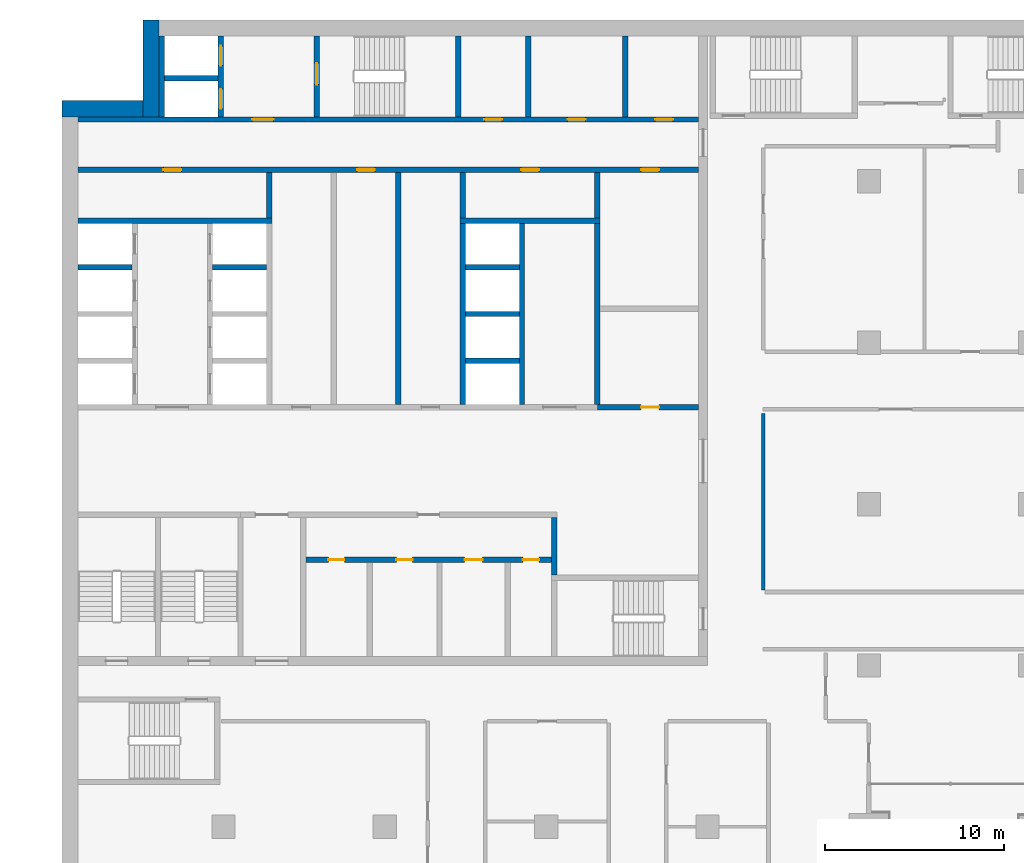
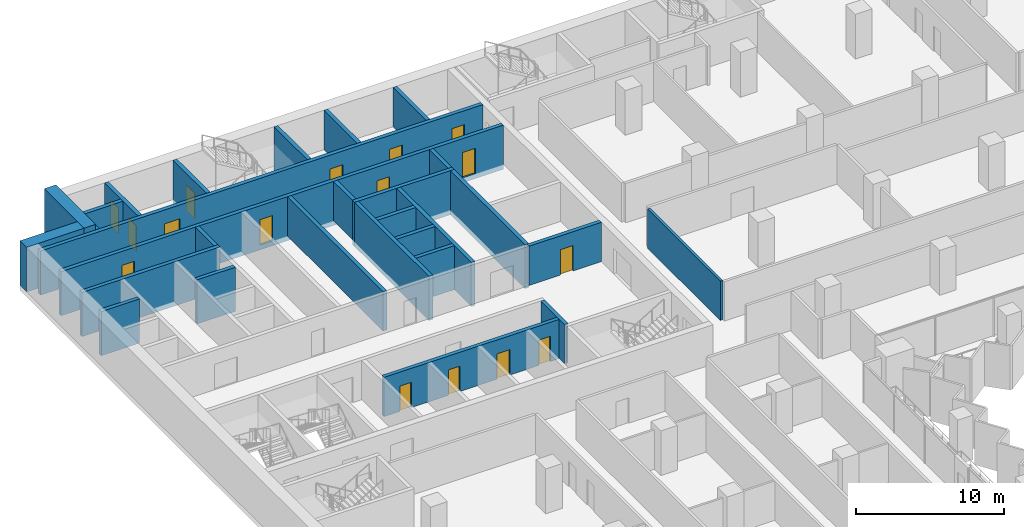
# One storey, part 13 of 23: 29 walls, 16 doors, 16 openings.
"""IFC4 building model written with IfcOpenShell, lengths in metres."""

from ifc_helpers import new_model, si_unit, direction, frame, frame_2d, origin, place, context, subcontext, project, spatial, rectangle, extrude, material, layer, layer_set, type_object, element, fill, save


model = new_model("IFC4")

# Units and contexts
model_context = context("Model", 3, precision=1e-05, world=origin(), true_north=direction((0.0, 1.0)))
body_context = subcontext(model_context, "Body", "Model", "MODEL_VIEW")
ifc_project = project(units=[si_unit("LENGTHUNIT", "METRE"), si_unit("AREAUNIT", "SQUARE_METRE"), si_unit("VOLUMEUNIT", "CUBIC_METRE"), si_unit("PLANEANGLEUNIT", "RADIAN"), si_unit("MASSUNIT", "GRAM", prefix="KILO")], contexts=[model_context])

# Site, building, storey
site_placement = place(None, origin())
site = spatial("IfcSite", under=ifc_project, at=site_placement, CompositionType="ELEMENT")
building_placement = place(site_placement, origin())
building = spatial("IfcBuilding", under=site, at=building_placement, Name="Hunhe Ridgeline Campus", CompositionType="ELEMENT")
storey_placement = place(building_placement, frame((0.0, 0.0, 125.5)))
storey = spatial("IfcBuildingStorey", under=building, at=storey_placement, Name="L31", CompositionType="ELEMENT", Elevation=125.5)

# Wall, openings, doors
ifc_material_1 = material(Name="Masonry concrete blockwork", Category="masonry")
ifc_layer_1 = layer(ifc_material_1, 0.300048828125)
ifc_layer_set_1 = layer_set([ifc_layer_1], Name="Core room partition 300 concrete block")
wall_type_1 = type_object("IfcWallType", Name="Core room partition 300 concrete block", PredefinedType="PARTITIONING", material=ifc_layer_set_1)
wall_1_placement = place(storey_placement, frame((13.60009765625, 68.89990234375, 0.0), z_axis=(0.0, 0.0, 1.0), x_axis=(1.0, 0.0, 0.0)))
wall_1 = element("IfcWall", 1, at=wall_1_placement, inside=storey, type_object=wall_type_1, Name="L31 core partition 9", PredefinedType="PARTITIONING", context=body_context, shape_type="SweptSolid", body=[
    extrude(rectangle(XDim=13.699951171875, YDim=0.300048828125, at=frame_2d((6.85009765625, 0.0))), origin(), (0.0, 0.0, 1.0), 3.25),
])
opening_1_placement = place(wall_1_placement, frame((1.25, 0.0, 0.0)))
opening_1 = element("IfcOpeningElement", 2, at=opening_1_placement, cuts=wall_1, Name="Opening CD8", PredefinedType="OPENING", context=body_context, shape_type="SweptSolid", body=[
    extrude(rectangle(XDim=0.89990234375, YDim=2.10009765625, at=frame_2d((0.449951171875, 1.050048828125))), frame((0.0, 0.14990234375, 0.0), z_axis=(0.0, -1.0, 0.0), x_axis=(1.0, 0.0, 0.0)), (0.0, 0.0, 1.0), 0.300048828125),
])
opening_2_placement = place(wall_1_placement, frame((5.050048828125, 0.0, 0.0)))
opening_2 = element("IfcOpeningElement", 3, at=opening_2_placement, cuts=wall_1, Name="Opening CD9", PredefinedType="OPENING", context=body_context, shape_type="SweptSolid", body=[
    extrude(rectangle(XDim=0.89990234375, YDim=2.10009765625, at=frame_2d((0.449951171875, 1.050048828125))), frame((0.0, 0.14990234375, 0.0), z_axis=(0.0, -1.0, 0.0), x_axis=(1.0, 0.0, 0.0)), (0.0, 0.0, 1.0), 0.300048828125),
])
opening_3_placement = place(wall_1_placement, frame((8.85009765625, 0.0, 0.0)))
opening_3 = element("IfcOpeningElement", 4, at=opening_3_placement, cuts=wall_1, Name="Opening CD10", PredefinedType="OPENING", context=body_context, shape_type="SweptSolid", body=[
    extrude(rectangle(XDim=1.0, YDim=2.10009765625, at=frame_2d((0.5, 1.050048828125))), frame((0.0, 0.14990234375, 0.0), z_axis=(0.0, -1.0, 0.0), x_axis=(1.0, 0.0, 0.0)), (0.0, 0.0, 1.0), 0.300048828125),
])
opening_4_placement = place(wall_1_placement, frame((12.10009765625, 0.0, 0.0)))
opening_4 = element("IfcOpeningElement", 5, at=opening_4_placement, cuts=wall_1, Name="Opening CD11", PredefinedType="OPENING", context=body_context, shape_type="SweptSolid", body=[
    extrude(rectangle(XDim=0.89990234375, YDim=2.10009765625, at=frame_2d((0.449951171875, 1.050048828125))), frame((0.0, 0.14990234375, 0.0), z_axis=(0.0, -1.0, 0.0), x_axis=(1.0, 0.0, 0.0)), (0.0, 0.0, 1.0), 0.300048828125),
])
ifc_material_2 = material(Name="Solid core timber door leaf", Category="wood")
door_type_1 = type_object("IfcDoorType", Name="Timber door 1000x2100", OperationType="SINGLE_SWING_LEFT", PredefinedType="DOOR", material=ifc_material_2)
door_1_placement = place(opening_3_placement, frame((1.0, 0.0, 0.0), z_axis=(0.0, 0.0, 1.0), x_axis=(-1.0, 0.0, 0.0)))
door_1 = element("IfcDoor", 6, at=door_1_placement, inside=storey, type_object=door_type_1, Name="L31 door WC3", OperationType="SINGLE_SWING_RIGHT", OverallHeight=2.10009765625, OverallWidth=1.0, PredefinedType="DOOR", context=body_context, shape_type="SweptSolid", body=[
    extrude(rectangle(XDim=1.0, YDim=2.10009765625, at=frame_2d((0.5, 1.050048828125))), frame((0.0, 0.02490234375, 0.0), z_axis=(0.0, -1.0, 0.0), x_axis=(1.0, 0.0, 0.0)), (0.0, 0.0, 1.0), 0.050048828125),
])
fill(opening_3, door_1)
door_type_2 = type_object("IfcDoorType", Name="Timber door 900x2100", OperationType="SINGLE_SWING_LEFT", PredefinedType="DOOR", material=ifc_material_2)
door_2_placement = place(opening_1_placement, frame((0.89990234375, 0.0, 0.0), z_axis=(0.0, 0.0, 1.0), x_axis=(-1.0, 0.0, 0.0)))
door_2 = element("IfcDoor", 7, at=door_2_placement, inside=storey, type_object=door_type_2, Name="L31 door WC1", OperationType="SINGLE_SWING_RIGHT", OverallHeight=2.10009765625, OverallWidth=0.89990234375, PredefinedType="DOOR", context=body_context, shape_type="SweptSolid", body=[
    extrude(rectangle(XDim=0.89990234375, YDim=2.10009765625, at=frame_2d((0.449951171875, 1.050048828125))), frame((0.0, 0.02490234375, 0.0), z_axis=(0.0, -1.0, 0.0), x_axis=(1.0, 0.0, 0.0)), (0.0, 0.0, 1.0), 0.050048828125),
])
fill(opening_1, door_2)
door_3_placement = place(opening_2_placement, frame((0.89990234375, 0.0, 0.0), z_axis=(0.0, 0.0, 1.0), x_axis=(-1.0, 0.0, 0.0)))
door_3 = element("IfcDoor", 8, at=door_3_placement, inside=storey, type_object=door_type_2, Name="L31 door WC2", OperationType="SINGLE_SWING_LEFT", OverallHeight=2.10009765625, OverallWidth=0.89990234375, PredefinedType="DOOR", context=body_context, shape_type="SweptSolid", body=[
    extrude(rectangle(XDim=0.89990234375, YDim=2.10009765625, at=frame_2d((0.449951171875, 1.050048828125))), frame((0.0, 0.02490234375, 0.0), z_axis=(0.0, -1.0, 0.0), x_axis=(1.0, 0.0, 0.0)), (0.0, 0.0, 1.0), 0.050048828125),
])
fill(opening_2, door_3)
door_4_placement = place(opening_4_placement, frame((0.89990234375, 0.0, 0.0), z_axis=(0.0, 0.0, 1.0), x_axis=(-1.0, 0.0, 0.0)))
door_4 = element("IfcDoor", 9, at=door_4_placement, inside=storey, type_object=door_type_2, Name="L31 door WC4", OperationType="SINGLE_SWING_LEFT", OverallHeight=2.10009765625, OverallWidth=0.89990234375, PredefinedType="DOOR", context=body_context, shape_type="SweptSolid", body=[
    extrude(rectangle(XDim=0.89990234375, YDim=2.10009765625, at=frame_2d((0.449951171875, 1.050048828125))), frame((0.0, 0.02490234375, 0.0), z_axis=(0.0, -1.0, 0.0), x_axis=(1.0, 0.0, 0.0)), (0.0, 0.0, 1.0), 0.050048828125),
])
fill(opening_4, door_4)

# Wall, opening, door
wall_2_placement = place(storey_placement, frame((29.85009765625, 77.39990234375, 0.0), z_axis=(0.0, 0.0, 1.0), x_axis=(1.0, 0.0, 0.0)))
wall_2 = element("IfcWall", 10, at=wall_2_placement, inside=storey, type_object=wall_type_1, Name="L31 core partition 13", PredefinedType="PARTITIONING", context=body_context, shape_type="SweptSolid", body=[
    extrude(rectangle(XDim=5.64990234375, YDim=0.300048828125, at=frame_2d((2.824951171875, 0.0))), origin(), (0.0, 0.0, 1.0), 3.25),
])
opening_5_placement = place(wall_2_placement, frame((2.449951171875, 0.0, 0.0)))
opening_5 = element("IfcOpeningElement", 11, at=opening_5_placement, cuts=wall_2, Name="Opening CD32", PredefinedType="OPENING", context=body_context, shape_type="SweptSolid", body=[
    extrude(rectangle(XDim=1.0, YDim=2.10009765625, at=frame_2d((0.5, 1.050048828125))), frame((0.0, 0.14990234375, 0.0), z_axis=(0.0, -1.0, 0.0), x_axis=(1.0, 0.0, 0.0)), (0.0, 0.0, 1.0), 0.300048828125),
])
door_5_placement = place(opening_5_placement, origin())
door_5 = element("IfcDoor", 12, at=door_5_placement, inside=storey, type_object=door_type_1, Name="L31 door ES0", OperationType="SINGLE_SWING_LEFT", OverallHeight=2.10009765625, OverallWidth=1.0, PredefinedType="DOOR", context=body_context, shape_type="SweptSolid", body=[
    extrude(rectangle(XDim=1.0, YDim=2.10009765625, at=frame_2d((0.5, 1.050048828125))), frame((0.0, 0.02490234375, 0.0), z_axis=(0.0, -1.0, 0.0), x_axis=(1.0, 0.0, 0.0)), (0.0, 0.0, 1.0), 0.050048828125),
])
fill(opening_5, door_5)

# Walls
wall_3_placement = place(storey_placement, frame((11.550048828125, 87.949951171875, 0.0), z_axis=(0.0, 0.0, 1.0), x_axis=(0.0, 1.0, 0.0)))
element("IfcWall", 13, at=wall_3_placement, inside=storey, type_object=wall_type_1, Name="L31 core partition 41", PredefinedType="PARTITIONING", context=body_context, shape_type="SweptSolid", body=[
    extrude(rectangle(XDim=2.550048828125, YDim=0.300048828125, at=frame_2d((1.27490234375, 0.0))), origin(), (0.0, 0.0, 1.0), 3.25),
])
wall_4_placement = place(storey_placement, frame((18.75, 77.550048828125, 0.0), z_axis=(0.0, 0.0, 1.0), x_axis=(0.0, 1.0, 0.0)))
element("IfcWall", 14, at=wall_4_placement, inside=storey, type_object=wall_type_1, Name="L31 core partition 46", PredefinedType="PARTITIONING", context=body_context, shape_type="SweptSolid", body=[
    extrude(rectangle(XDim=12.949951171875, YDim=0.300048828125, at=frame_2d((6.47509765625, 0.0))), origin(), (0.0, 0.0, 1.0), 3.25),
])
wall_5_placement = place(storey_placement, frame((22.35009765625, 87.949951171875, 0.0), z_axis=(0.0, 0.0, 1.0), x_axis=(0.0, 1.0, 0.0)))
element("IfcWall", 15, at=wall_5_placement, inside=storey, type_object=wall_type_1, Name="L31 core partition 51", PredefinedType="PARTITIONING", context=body_context, shape_type="SweptSolid", body=[
    extrude(rectangle(XDim=2.550048828125, YDim=0.300048828125, at=frame_2d((1.27490234375, 0.0))), origin(), (0.0, 0.0, 1.0), 3.25),
])
wall_6_placement = place(storey_placement, frame((26.0, 93.60009765625, 0.0), z_axis=(0.0, 0.0, 1.0), x_axis=(0.0, 1.0, 0.0)))
element("IfcWall", 16, at=wall_6_placement, inside=storey, type_object=wall_type_1, Name="L31 core partition 55", PredefinedType="PARTITIONING", context=body_context, shape_type="SweptSolid", body=[
    extrude(rectangle(XDim=4.5, YDim=0.300048828125, at=frame_2d((2.25, 0.0))), origin(), (0.0, 0.0, 1.0), 3.25),
])
wall_7_placement = place(storey_placement, frame((27.449951171875, 68.050048828125, 0.0), z_axis=(0.0, 0.0, 1.0), x_axis=(0.0, 1.0, 0.0)))
element("IfcWall", 17, at=wall_7_placement, inside=storey, type_object=wall_type_1, Name="L31 core partition 57", PredefinedType="PARTITIONING", context=body_context, shape_type="SweptSolid", body=[
    extrude(rectangle(XDim=3.199951171875, YDim=0.300048828125, at=frame_2d((1.60009765625, 0.0))), origin(), (0.0, 0.0, 1.0), 3.25),
])
wall_8_placement = place(storey_placement, frame((29.85009765625, 87.949951171875, 0.0), z_axis=(0.0, 0.0, 1.0), x_axis=(0.0, 1.0, 0.0)))
element("IfcWall", 18, at=wall_8_placement, inside=storey, type_object=wall_type_1, Name="L31 core partition 59", PredefinedType="PARTITIONING", context=body_context, shape_type="SweptSolid", body=[
    extrude(rectangle(XDim=2.550048828125, YDim=0.300048828125, at=frame_2d((1.27490234375, 0.0))), origin(), (0.0, 0.0, 1.0), 3.25),
])
wall_9_placement = place(storey_placement, frame((31.39990234375, 93.60009765625, 0.0), z_axis=(0.0, 0.0, 1.0), x_axis=(0.0, 1.0, 0.0)))
element("IfcWall", 19, at=wall_9_placement, inside=storey, type_object=wall_type_1, Name="L31 core partition 60", PredefinedType="PARTITIONING", context=body_context, shape_type="SweptSolid", body=[
    extrude(rectangle(XDim=4.5, YDim=0.300048828125, at=frame_2d((2.25, 0.0))), origin(), (0.0, 0.0, 1.0), 3.25),
])
ifc_material_3 = material(Name="Gypsum board partition")
ifc_layer_2 = layer(ifc_material_3, 0.199951171875)
ifc_layer_set_2 = layer_set([ifc_layer_2], Name="Corridor partition 200 gypsum board on steel studs")
wall_type_2 = type_object("IfcWallType", Name="Corridor partition 200 gypsum board on steel studs", PredefinedType="PARTITIONING", material=ifc_layer_set_2)
wall_10_placement = place(storey_placement, frame((39.10009765625, 77.063232421875, 0.0), z_axis=(0.0, 0.0, 1.0), x_axis=(0.0, -1.0, 0.0)))
element("IfcWall", 20, at=wall_10_placement, inside=storey, type_object=wall_type_2, Name="F-L31-wall-064", PredefinedType="PARTITIONING", context=body_context, shape_type="SweptSolid", body=[
    extrude(rectangle(XDim=9.86328125, YDim=0.199951171875, at=frame_2d((4.931640625, 0.0))), origin(), (0.0, 0.0, 1.0), 3.25),
])

# Wall, openings, doors
ifc_material_4 = material(Name="Concrete C80", Category="concrete")
ifc_layer_3 = layer(ifc_material_4, 0.300048828125)
ifc_layer_set_3 = layer_set([ifc_layer_3], Name="Lobby wall 300 reinforced concrete C80")
wall_type_3 = type_object("IfcWallType", Name="Lobby wall 300 reinforced concrete C80", PredefinedType="SOLIDWALL", material=ifc_layer_set_3)
wall_11_placement = place(storey_placement, frame((0.89990234375, 90.64990234375, -0.39990234375), z_axis=(0.0, 0.0, 1.0), x_axis=(1.0, 0.0, 0.0)))
wall_11 = element("IfcWall", 21, at=wall_11_placement, inside=storey, type_object=wall_type_3, Name="L31 core wall 26", PredefinedType="SOLIDWALL", context=body_context, shape_type="SweptSolid", body=[
    extrude(rectangle(XDim=34.60009765625, YDim=0.300048828125, at=frame_2d((17.300048828125, 0.0))), origin(), (0.0, 0.0, 1.0), 3.64990234375),
])
opening_6_placement = place(wall_11_placement, frame((4.75, 0.0, 0.39990234375)))
opening_6 = element("IfcOpeningElement", 22, at=opening_6_placement, cuts=wall_11, Name="Opening CD26", PredefinedType="OPENING", context=body_context, shape_type="SweptSolid", body=[
    extrude(rectangle(XDim=1.0, YDim=2.10009765625, at=frame_2d((0.5, 1.050048828125))), frame((0.0, 0.14990234375, 0.0), z_axis=(0.0, -1.0, 0.0), x_axis=(1.0, 0.0, 0.0)), (0.0, 0.0, 1.0), 0.300048828125),
])
opening_7_placement = place(wall_11_placement, frame((24.699951171875, 0.0, 0.39990234375)))
opening_7 = element("IfcOpeningElement", 23, at=opening_7_placement, cuts=wall_11, Name="Opening CD27", PredefinedType="OPENING", context=body_context, shape_type="SweptSolid", body=[
    extrude(rectangle(XDim=1.0, YDim=2.10009765625, at=frame_2d((0.5, 1.050048828125))), frame((0.0, 0.14990234375, 0.0), z_axis=(0.0, -1.0, 0.0), x_axis=(1.0, 0.0, 0.0)), (0.0, 0.0, 1.0), 0.300048828125),
])
opening_8_placement = place(wall_11_placement, frame((15.550048828125, 0.0, 0.39990234375)))
opening_8 = element("IfcOpeningElement", 24, at=opening_8_placement, cuts=wall_11, Name="Opening CD29", PredefinedType="OPENING", context=body_context, shape_type="SweptSolid", body=[
    extrude(rectangle(XDim=1.0, YDim=2.10009765625, at=frame_2d((0.5, 1.050048828125))), frame((0.0, 0.14990234375, 0.0), z_axis=(0.0, -1.0, 0.0), x_axis=(1.0, 0.0, 0.0)), (0.0, 0.0, 1.0), 0.300048828125),
])
opening_9_placement = place(wall_11_placement, frame((31.39990234375, 0.0, 0.39990234375)))
opening_9 = element("IfcOpeningElement", 25, at=opening_9_placement, cuts=wall_11, Name="Opening CD33", PredefinedType="OPENING", context=body_context, shape_type="SweptSolid", body=[
    extrude(rectangle(XDim=1.0, YDim=2.10009765625, at=frame_2d((0.5, 1.050048828125))), frame((0.0, 0.14990234375, 0.0), z_axis=(0.0, -1.0, 0.0), x_axis=(1.0, 0.0, 0.0)), (0.0, 0.0, 1.0), 0.300048828125),
])
door_6_placement = place(opening_6_placement, frame((1.0, 0.0, 0.0), z_axis=(0.0, 0.0, 1.0), x_axis=(-1.0, 0.0, 0.0)))
door_6 = element("IfcDoor", 26, at=door_6_placement, inside=storey, type_object=door_type_1, Name="L31 door NR-0", OperationType="SINGLE_SWING_RIGHT", OverallHeight=2.10009765625, OverallWidth=1.0, PredefinedType="DOOR", context=body_context, shape_type="SweptSolid", body=[
    extrude(rectangle(XDim=1.0, YDim=2.10009765625, at=frame_2d((0.5, 1.050048828125))), frame((0.0, 0.02490234375, 0.0), z_axis=(0.0, -1.0, 0.0), x_axis=(1.0, 0.0, 0.0)), (0.0, 0.0, 1.0), 0.050048828125),
])
fill(opening_6, door_6)
door_7_placement = place(opening_7_placement, frame((1.0, 0.0, 0.0), z_axis=(0.0, 0.0, 1.0), x_axis=(-1.0, 0.0, 0.0)))
door_7 = element("IfcDoor", 27, at=door_7_placement, inside=storey, type_object=door_type_1, Name="L31 door NR-1", OperationType="SINGLE_SWING_LEFT", OverallHeight=2.10009765625, OverallWidth=1.0, PredefinedType="DOOR", context=body_context, shape_type="SweptSolid", body=[
    extrude(rectangle(XDim=1.0, YDim=2.10009765625, at=frame_2d((0.5, 1.050048828125))), frame((0.0, 0.02490234375, 0.0), z_axis=(0.0, -1.0, 0.0), x_axis=(1.0, 0.0, 0.0)), (0.0, 0.0, 1.0), 0.050048828125),
])
fill(opening_7, door_7)
door_8_placement = place(opening_8_placement, frame((1.0, 0.0, 0.0), z_axis=(0.0, 0.0, 1.0), x_axis=(-1.0, 0.0, 0.0)))
door_8 = element("IfcDoor", 28, at=door_8_placement, inside=storey, type_object=door_type_1, Name="L31 door VD-HR1", OperationType="SINGLE_SWING_LEFT", OverallHeight=2.10009765625, OverallWidth=1.0, PredefinedType="DOOR", context=body_context, shape_type="SweptSolid", body=[
    extrude(rectangle(XDim=1.0, YDim=2.10009765625, at=frame_2d((0.5, 1.050048828125))), frame((0.0, 0.02490234375, 0.0), z_axis=(0.0, -1.0, 0.0), x_axis=(1.0, 0.0, 0.0)), (0.0, 0.0, 1.0), 0.050048828125),
])
fill(opening_8, door_8)
door_9_placement = place(opening_9_placement, frame((1.0, 0.0, 0.0), z_axis=(0.0, 0.0, 1.0), x_axis=(-1.0, 0.0, 0.0)))
door_9 = element("IfcDoor", 29, at=door_9_placement, inside=storey, type_object=door_type_1, Name="L31 door ES1", OperationType="SINGLE_SWING_LEFT", OverallHeight=2.10009765625, OverallWidth=1.0, PredefinedType="DOOR", context=body_context, shape_type="SweptSolid", body=[
    extrude(rectangle(XDim=1.0, YDim=2.10009765625, at=frame_2d((0.5, 1.050048828125))), frame((0.0, 0.02490234375, 0.0), z_axis=(0.0, -1.0, 0.0), x_axis=(1.0, 0.0, 0.0)), (0.0, 0.0, 1.0), 0.050048828125),
])
fill(opening_9, door_9)

# Walls
wall_12_placement = place(storey_placement, frame((29.85009765625, 77.550048828125, -0.39990234375), z_axis=(0.0, 0.0, 1.0), x_axis=(0.0, 1.0, 0.0)))
element("IfcWall", 30, at=wall_12_placement, inside=storey, type_object=wall_type_3, Name="L31 core wall 58", PredefinedType="SOLIDWALL", context=body_context, shape_type="SweptSolid", body=[
    extrude(rectangle(XDim=10.099853515625, YDim=0.300048828125, at=frame_2d((5.0498046875, 0.0))), origin(), (0.0, 0.0, 1.0), 3.64990234375),
])
ifc_layer_4 = layer(ifc_material_4, 0.300048828125)
ifc_layer_set_4 = layer_set([ifc_layer_4], Name="Shaft wall 300 reinforced concrete C80")
wall_type_4 = type_object("IfcWallType", Name="Shaft wall 300 reinforced concrete C80", PredefinedType="SOLIDWALL", material=ifc_layer_set_4)
for number, where, z_axis, x_axis, name in (
    (31, (22.5, 80.0, -0.39990234375), (0.0, 0.0, 1.0), (1.0, 0.0, 0.0), "L31 core wall 16"),
    (32, (22.5, 82.60009765625, -0.39990234375), (0.0, 0.0, 1.0), (1.0, 0.0, 0.0), "L31 core wall 19"),
    (33, (0.89990234375, 85.199951171875, -0.39990234375), (0.0, 0.0, 1.0), (1.0, 0.0, 0.0), "L31 core wall 21"),
    (34, (8.39990234375, 85.199951171875, -0.39990234375), (0.0, 0.0, 1.0), (1.0, 0.0, 0.0), "L31 core wall 22"),
    (35, (22.5, 85.199951171875, -0.39990234375), (0.0, 0.0, 1.0), (1.0, 0.0, 0.0), "L31 core wall 23"),
):
    element("IfcWall", number, at=place(storey_placement, frame(where, z_axis=z_axis, x_axis=x_axis)), inside=storey, type_object=wall_type_4, Name=name, PredefinedType="SOLIDWALL", context=body_context, shape_type="SweptSolid", body=[
        extrude(rectangle(XDim=3.0, YDim=0.300048828125, at=frame_2d((1.5, 0.0))), origin(), (0.0, 0.0, 1.0), 3.64990234375),
    ])
wall_13_placement = place(storey_placement, frame((0.89990234375, 87.800048828125, -0.39990234375), z_axis=(0.0, 0.0, 1.0), x_axis=(1.0, 0.0, 0.0)))
element("IfcWall", 36, at=wall_13_placement, inside=storey, type_object=wall_type_4, Name="L31 core wall 24", PredefinedType="SOLIDWALL", context=body_context, shape_type="SweptSolid", body=[
    extrude(rectangle(XDim=10.800048828125, YDim=0.300048828125, at=frame_2d((5.39990234375, 0.0))), origin(), (0.0, 0.0, 1.0), 3.64990234375),
])
wall_14_placement = place(storey_placement, frame((22.199951171875, 87.800048828125, -0.39990234375), z_axis=(0.0, 0.0, 1.0), x_axis=(1.0, 0.0, 0.0)))
element("IfcWall", 37, at=wall_14_placement, inside=storey, type_object=wall_type_4, Name="L31 core wall 25", PredefinedType="SOLIDWALL", context=body_context, shape_type="SweptSolid", body=[
    extrude(rectangle(XDim=7.800048828125, YDim=0.300048828125, at=frame_2d((3.89990234375, 0.0))), origin(), (0.0, 0.0, 1.0), 3.64990234375),
])

# Wall, openings, doors
wall_15_placement = place(storey_placement, frame((0.89990234375, 93.449951171875, -0.39990234375), z_axis=(0.0, 0.0, 1.0), x_axis=(1.0, 0.0, 0.0)))
wall_15 = element("IfcWall", 38, at=wall_15_placement, inside=storey, type_object=wall_type_4, Name="L31 core wall 27", PredefinedType="SOLIDWALL", context=body_context, shape_type="SweptSolid", body=[
    extrude(rectangle(XDim=34.60009765625, YDim=0.300048828125, at=frame_2d((17.300048828125, 0.0))), origin(), (0.0, 0.0, 1.0), 3.64990234375),
])
opening_10_placement = place(wall_15_placement, frame((9.699951171875, 0.0, 0.39990234375)))
opening_10 = element("IfcOpeningElement", 39, at=opening_10_placement, cuts=wall_15, Name="Opening CD3", PredefinedType="OPENING", context=body_context, shape_type="SweptSolid", body=[
    extrude(rectangle(XDim=1.199951171875, YDim=2.10009765625, at=frame_2d((0.60009765625, 1.050048828125))), frame((0.0, 0.14990234375, 0.0), z_axis=(0.0, -1.0, 0.0), x_axis=(1.0, 0.0, 0.0)), (0.0, 0.0, 1.0), 0.300048828125),
])
opening_11_placement = place(wall_15_placement, frame((22.64990234375, 0.0, 0.39990234375)))
opening_11 = element("IfcOpeningElement", 40, at=opening_11_placement, cuts=wall_15, Name="Opening CD34", PredefinedType="OPENING", context=body_context, shape_type="SweptSolid", body=[
    extrude(rectangle(XDim=1.0, YDim=2.10009765625, at=frame_2d((0.5, 1.050048828125))), frame((0.0, 0.14990234375, 0.0), z_axis=(0.0, -1.0, 0.0), x_axis=(1.0, 0.0, 0.0)), (0.0, 0.0, 1.0), 0.300048828125),
])
opening_12_placement = place(wall_15_placement, frame((27.300048828125, 0.0, 0.39990234375)))
opening_12 = element("IfcOpeningElement", 41, at=opening_12_placement, cuts=wall_15, Name="Opening CD35", PredefinedType="OPENING", context=body_context, shape_type="SweptSolid", body=[
    extrude(rectangle(XDim=1.0, YDim=2.10009765625, at=frame_2d((0.5, 1.050048828125))), frame((0.0, 0.14990234375, 0.0), z_axis=(0.0, -1.0, 0.0), x_axis=(1.0, 0.0, 0.0)), (0.0, 0.0, 1.0), 0.300048828125),
])
opening_13_placement = place(wall_15_placement, frame((32.175048828125, 0.0, 0.39990234375)))
opening_13 = element("IfcOpeningElement", 42, at=opening_13_placement, cuts=wall_15, Name="Opening CD36", PredefinedType="OPENING", context=body_context, shape_type="SweptSolid", body=[
    extrude(rectangle(XDim=1.0, YDim=2.10009765625, at=frame_2d((0.5, 1.050048828125))), frame((0.0, 0.14990234375, 0.0), z_axis=(0.0, -1.0, 0.0), x_axis=(1.0, 0.0, 0.0)), (0.0, 0.0, 1.0), 0.300048828125),
])
ifc_material_5 = material(Name="Hollow metal fire door leaf")
door_type_3 = type_object("IfcDoorType", Name="Lobby door 1200x2100 FD60", OperationType="SINGLE_SWING_LEFT", PredefinedType="DOOR", material=ifc_material_5)
door_10_placement = place(opening_10_placement, frame((1.199951171875, 0.0, 0.0), z_axis=(0.0, 0.0, 1.0), x_axis=(-1.0, 0.0, 0.0)))
door_10 = element("IfcDoor", 43, at=door_10_placement, inside=storey, type_object=door_type_3, Name="L31 door FF-C1", OperationType="SINGLE_SWING_LEFT", OverallHeight=2.10009765625, OverallWidth=1.199951171875, PredefinedType="DOOR", context=body_context, shape_type="SweptSolid", body=[
    extrude(rectangle(XDim=1.199951171875, YDim=2.10009765625, at=frame_2d((0.60009765625, 1.050048828125))), frame((0.0, 0.02490234375, 0.0), z_axis=(0.0, -1.0, 0.0), x_axis=(1.0, 0.0, 0.0)), (0.0, 0.0, 1.0), 0.050048828125),
])
fill(opening_10, door_10)
door_11_placement = place(opening_11_placement, origin())
door_11 = element("IfcDoor", 44, at=door_11_placement, inside=storey, type_object=door_type_1, Name="L31 door NB0", OperationType="SINGLE_SWING_LEFT", OverallHeight=2.10009765625, OverallWidth=1.0, PredefinedType="DOOR", context=body_context, shape_type="SweptSolid", body=[
    extrude(rectangle(XDim=1.0, YDim=2.10009765625, at=frame_2d((0.5, 1.050048828125))), frame((0.0, 0.02490234375, 0.0), z_axis=(0.0, -1.0, 0.0), x_axis=(1.0, 0.0, 0.0)), (0.0, 0.0, 1.0), 0.050048828125),
])
fill(opening_11, door_11)
door_12_placement = place(opening_12_placement, origin())
door_12 = element("IfcDoor", 45, at=door_12_placement, inside=storey, type_object=door_type_1, Name="L31 door NB1", OperationType="SINGLE_SWING_RIGHT", OverallHeight=2.10009765625, OverallWidth=1.0, PredefinedType="DOOR", context=body_context, shape_type="SweptSolid", body=[
    extrude(rectangle(XDim=1.0, YDim=2.10009765625, at=frame_2d((0.5, 1.050048828125))), frame((0.0, 0.02490234375, 0.0), z_axis=(0.0, -1.0, 0.0), x_axis=(1.0, 0.0, 0.0)), (0.0, 0.0, 1.0), 0.050048828125),
])
fill(opening_12, door_12)
door_13_placement = place(opening_13_placement, origin())
door_13 = element("IfcDoor", 46, at=door_13_placement, inside=storey, type_object=door_type_1, Name="L31 door NB2", OperationType="SINGLE_SWING_LEFT", OverallHeight=2.10009765625, OverallWidth=1.0, PredefinedType="DOOR", context=body_context, shape_type="SweptSolid", body=[
    extrude(rectangle(XDim=1.0, YDim=2.10009765625, at=frame_2d((0.5, 1.050048828125))), frame((0.0, 0.02490234375, 0.0), z_axis=(0.0, -1.0, 0.0), x_axis=(1.0, 0.0, 0.0)), (0.0, 0.0, 1.0), 0.050048828125),
])
fill(opening_13, door_13)

# Walls
wall_16_placement = place(storey_placement, frame((5.699951171875, 95.75, -0.39990234375), z_axis=(0.0, 0.0, 1.0), x_axis=(1.0, 0.0, 0.0)))
element("IfcWall", 47, at=wall_16_placement, inside=storey, type_object=wall_type_4, Name="L31 core wall 31", PredefinedType="SOLIDWALL", context=body_context, shape_type="SweptSolid", body=[
    extrude(rectangle(XDim=3.0, YDim=0.300048828125, at=frame_2d((1.5, 0.0))), origin(), (0.0, 0.0, 1.0), 3.64990234375),
])
wall_17_placement = place(storey_placement, frame((5.550048828125, 93.60009765625, -0.39990234375), z_axis=(0.0, 0.0, 1.0), x_axis=(0.0, 1.0, 0.0)))
element("IfcWall", 48, at=wall_17_placement, inside=storey, type_object=wall_type_4, Name="L31 core wall 34", PredefinedType="SOLIDWALL", context=body_context, shape_type="SweptSolid", body=[
    extrude(rectangle(XDim=4.5, YDim=0.300048828125, at=frame_2d((2.25, 0.0))), origin(), (0.0, 0.0, 1.0), 3.64990234375),
])

# Wall, openings, doors
wall_18_placement = place(storey_placement, frame((8.85009765625, 93.60009765625, -0.39990234375), z_axis=(0.0, 0.0, 1.0), x_axis=(0.0, 1.0, 0.0)))
wall_18 = element("IfcWall", 49, at=wall_18_placement, inside=storey, type_object=wall_type_4, Name="L31 core wall 38", PredefinedType="SOLIDWALL", context=body_context, shape_type="SweptSolid", body=[
    extrude(rectangle(XDim=4.5, YDim=0.300048828125, at=frame_2d((2.25, 0.0))), origin(), (0.0, 0.0, 1.0), 3.64990234375),
])
opening_14_placement = place(wall_18_placement, frame((0.449951171875, 0.0, 0.39990234375)))
opening_14 = element("IfcOpeningElement", 50, at=opening_14_placement, cuts=wall_18, Name="Opening LD-FF1", PredefinedType="OPENING", context=body_context, shape_type="SweptSolid", body=[
    extrude(rectangle(XDim=1.10009765625, YDim=2.10009765625, at=frame_2d((0.550048828125, 1.050048828125))), frame((0.0, 0.14990234375, 0.0), z_axis=(0.0, -1.0, 0.0), x_axis=(1.0, 0.0, 0.0)), (0.0, 0.0, 1.0), 0.300048828125),
])
opening_15_placement = place(wall_18_placement, frame((2.85009765625, 0.0, 0.39990234375)))
opening_15 = element("IfcOpeningElement", 51, at=opening_15_placement, cuts=wall_18, Name="Opening LD-FF2", PredefinedType="OPENING", context=body_context, shape_type="SweptSolid", body=[
    extrude(rectangle(XDim=1.10009765625, YDim=2.10009765625, at=frame_2d((0.550048828125, 1.050048828125))), frame((0.0, 0.14990234375, 0.0), z_axis=(0.0, -1.0, 0.0), x_axis=(1.0, 0.0, 0.0)), (0.0, 0.0, 1.0), 0.300048828125),
])
ifc_material_6 = material(Name="Stainless steel sliding leaves", Category="steel")
door_type_4 = type_object("IfcDoorType", Name="Landing door 1100x2100 FD120", OperationType="SLIDING_TO_LEFT", PredefinedType="DOOR", material=ifc_material_6)
door_14_placement = place(opening_14_placement, origin())
door_14 = element("IfcDoor", 52, at=door_14_placement, inside=storey, type_object=door_type_4, Name="L31 landing door FF1", OperationType="SLIDING_TO_RIGHT", OverallHeight=2.10009765625, OverallWidth=1.10009765625, PredefinedType="DOOR", context=body_context, shape_type="SweptSolid", body=[
    extrude(rectangle(XDim=1.10009765625, YDim=2.10009765625, at=frame_2d((0.550048828125, 1.050048828125))), frame((0.0, 0.02490234375, 0.0), z_axis=(0.0, -1.0, 0.0), x_axis=(1.0, 0.0, 0.0)), (0.0, 0.0, 1.0), 0.050048828125),
])
fill(opening_14, door_14)
door_15_placement = place(opening_15_placement, origin())
door_15 = element("IfcDoor", 53, at=door_15_placement, inside=storey, type_object=door_type_4, Name="L31 landing door FF2", OperationType="SLIDING_TO_LEFT", OverallHeight=2.10009765625, OverallWidth=1.10009765625, PredefinedType="DOOR", context=body_context, shape_type="SweptSolid", body=[
    extrude(rectangle(XDim=1.10009765625, YDim=2.10009765625, at=frame_2d((0.550048828125, 1.050048828125))), frame((0.0, 0.02490234375, 0.0), z_axis=(0.0, -1.0, 0.0), x_axis=(1.0, 0.0, 0.0)), (0.0, 0.0, 1.0), 0.050048828125),
])
fill(opening_15, door_15)

# Walls
for number, where, z_axis, x_axis, name in (
    (54, (22.35009765625, 77.550048828125, -0.39990234375), (0.0, 0.0, 1.0), (0.0, 1.0, 0.0), "L31 core wall 50"),
    (55, (25.64990234375, 77.550048828125, -0.39990234375), (0.0, 0.0, 1.0), (0.0, 1.0, 0.0), "L31 core wall 54"),
):
    element("IfcWall", number, at=place(storey_placement, frame(where, z_axis=z_axis, x_axis=x_axis)), inside=storey, type_object=wall_type_4, Name=name, PredefinedType="SOLIDWALL", context=body_context, shape_type="SweptSolid", body=[
        extrude(rectangle(XDim=10.099853515625, YDim=0.300048828125, at=frame_2d((5.0498046875, 0.0))), origin(), (0.0, 0.0, 1.0), 3.64990234375),
    ])
ifc_material_7 = material(Name="Concrete C70", Category="concrete")
ifc_layer_5 = layer(ifc_material_7, 0.89990234375)
ifc_layer_set_5 = layer_set([ifc_layer_5], Name="Spine wall 900 Concrete C70")
wall_type_5 = type_object("IfcWallType", Name="Spine wall 900 Concrete C70", PredefinedType="SHEAR", material=ifc_layer_set_5)
for number, where, z_axis, x_axis, name in (
    (56, (4.949951171875, 99.0, 0.0), (0.0, 0.0, 1.0), (0.0, -1.0, 0.0), "Spine wall SW2-5 L31"),
    (57, (5.400146484375, 94.050048828125, 0.0), (0.0, 0.0, 1.0), (-1.0, 0.0, 0.0), "Spine wall SW2-6 L31"),
):
    element("IfcWall", number, at=place(storey_placement, frame(where, z_axis=z_axis, x_axis=x_axis)), inside=storey, type_object=wall_type_5, Name=name, PredefinedType="SHEAR", context=body_context, shape_type="SweptSolid", body=[
        extrude(rectangle(XDim=5.400146484375, YDim=0.89990234375, at=frame_2d((2.7001953125, 0.0))), origin(), (0.0, 0.0, 1.0), 3.699951171875),
    ])

# Wall, opening, door
ifc_layer_6 = layer(ifc_material_4, 0.300048828125)
ifc_layer_set_6 = layer_set([ifc_layer_6], Name="Stair wall 300 reinforced concrete C80")
wall_type_6 = type_object("IfcWallType", Name="Stair wall 300 reinforced concrete C80", PredefinedType="SOLIDWALL", material=ifc_layer_set_6)
wall_19_placement = place(storey_placement, frame((14.199951171875, 93.60009765625, -0.39990234375), z_axis=(0.0, 0.0, 1.0), x_axis=(0.0, 1.0, 0.0)))
wall_19 = element("IfcWall", 58, at=wall_19_placement, inside=storey, type_object=wall_type_6, Name="L31 core wall 43", PredefinedType="SOLIDWALL", context=body_context, shape_type="SweptSolid", body=[
    extrude(rectangle(XDim=4.5, YDim=0.300048828125, at=frame_2d((2.25, 0.0))), origin(), (0.0, 0.0, 1.0), 3.64990234375),
])
opening_16_placement = place(wall_19_placement, frame((1.800048828125, 0.0, 0.39990234375)))
opening_16 = element("IfcOpeningElement", 59, at=opening_16_placement, cuts=wall_19, Name="Opening CD16", PredefinedType="OPENING", context=body_context, shape_type="SweptSolid", body=[
    extrude(rectangle(XDim=1.199951171875, YDim=2.10009765625, at=frame_2d((0.60009765625, 1.050048828125))), frame((0.0, 0.14990234375, 0.0), z_axis=(0.0, -1.0, 0.0), x_axis=(1.0, 0.0, 0.0)), (0.0, 0.0, 1.0), 0.300048828125),
])
door_type_5 = type_object("IfcDoorType", Name="Stair door 1200x2100 FD60", OperationType="SINGLE_SWING_LEFT", PredefinedType="DOOR", material=ifc_material_5)
door_16_placement = place(opening_16_placement, origin())
door_16 = element("IfcDoor", 60, at=door_16_placement, inside=storey, type_object=door_type_5, Name="L31 door S1-FF", OperationType="SINGLE_SWING_LEFT", OverallHeight=2.10009765625, OverallWidth=1.199951171875, PredefinedType="DOOR", context=body_context, shape_type="SweptSolid", body=[
    extrude(rectangle(XDim=1.199951171875, YDim=2.10009765625, at=frame_2d((0.60009765625, 1.050048828125))), frame((0.0, 0.02490234375, 0.0), z_axis=(0.0, -1.0, 0.0), x_axis=(1.0, 0.0, 0.0)), (0.0, 0.0, 1.0), 0.050048828125),
])
fill(opening_16, door_16)

# Wall
wall_20_placement = place(storey_placement, frame((22.10009765625, 93.60009765625, -0.39990234375), z_axis=(0.0, 0.0, 1.0), x_axis=(0.0, 1.0, 0.0)))
element("IfcWall", 61, at=wall_20_placement, inside=storey, type_object=wall_type_6, Name="L31 core wall 49", PredefinedType="SOLIDWALL", context=body_context, shape_type="SweptSolid", body=[
    extrude(rectangle(XDim=4.5, YDim=0.300048828125, at=frame_2d((2.25, 0.0))), origin(), (0.0, 0.0, 1.0), 3.64990234375),
])

save(model, "model.ifc")
